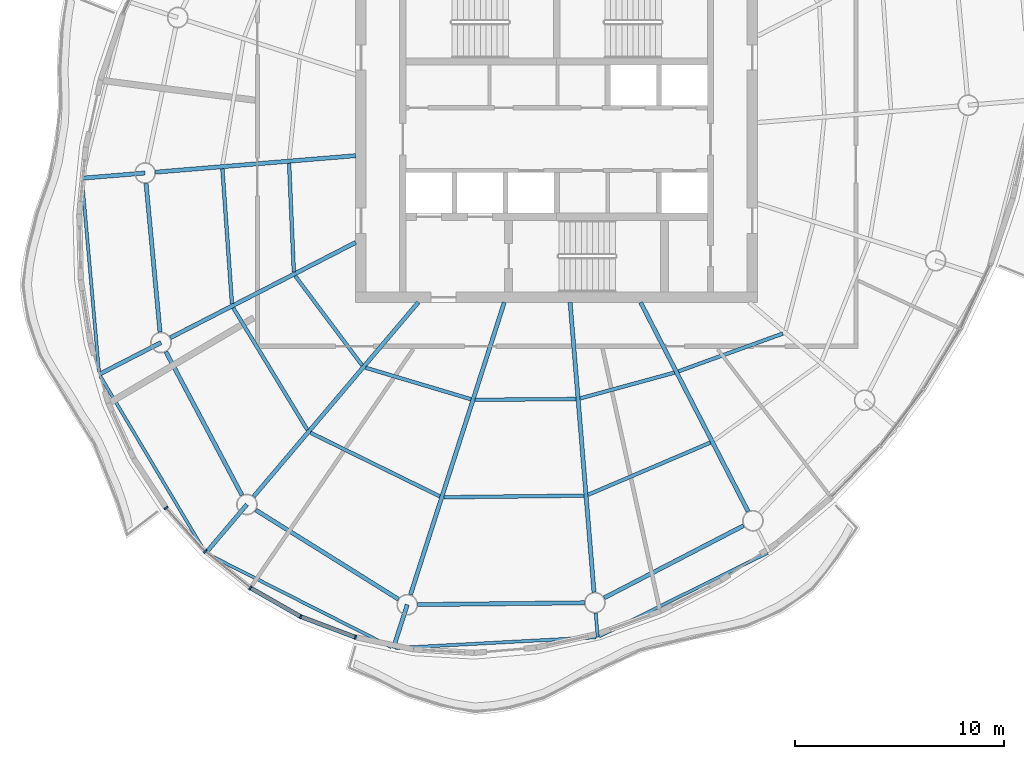
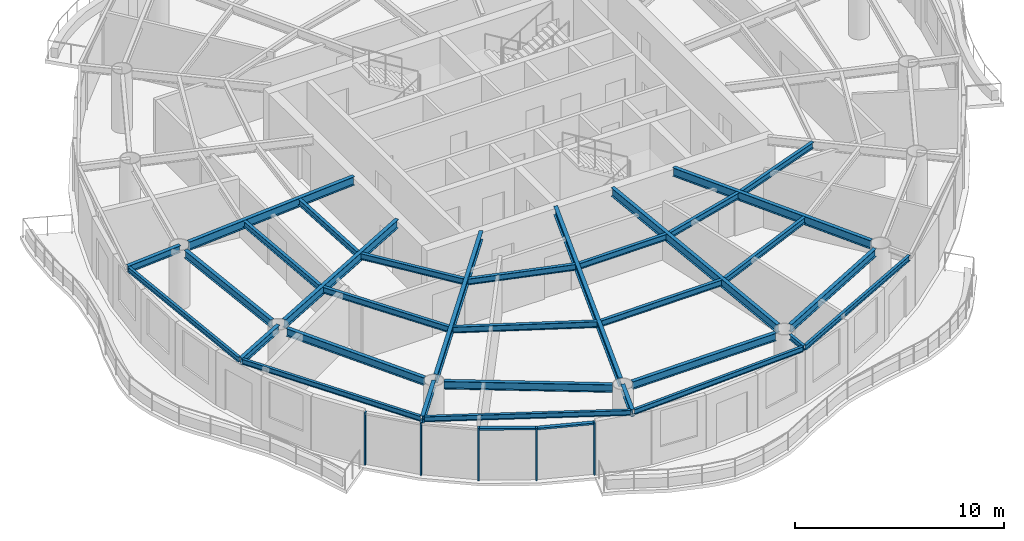
# One storey, part 2 of 14: 32 beams, 7 members, 4 elements without a shape of their own.
"""IFC4 building model written with IfcOpenShell, lengths in metres."""

from ifc_helpers import new_model, si_unit, direction, frame, origin, origin_2d, place, context, subcontext, project, spatial, rectangle, i_section, extrude, material, material_profile, profile_set, type_object, element, aggregate, save


model = new_model("IFC4")

# Units and contexts
model_context = context("Model", 3, precision=1e-05, world=origin(), true_north=direction((0.0, 1.0)))
body_context = subcontext(model_context, "Body", "Model", "MODEL_VIEW")
ifc_project = project(units=[si_unit("LENGTHUNIT", "METRE"), si_unit("AREAUNIT", "SQUARE_METRE"), si_unit("VOLUMEUNIT", "CUBIC_METRE"), si_unit("PLANEANGLEUNIT", "RADIAN"), si_unit("MASSUNIT", "GRAM", prefix="KILO")], contexts=[model_context])

# Site, building, storey
site_placement = place(None, origin())
site = spatial("IfcSite", under=ifc_project, at=site_placement, CompositionType="ELEMENT")
building_placement = place(site_placement, origin())
building = spatial("IfcBuilding", under=site, at=building_placement, Name="Vermilion Reach Broadcast Tower", CompositionType="ELEMENT")
storey_placement = place(building_placement, frame((0.0, 0.0, 257.699951171875)))
storey = spatial("IfcBuildingStorey", under=building, at=storey_placement, Name="L63", CompositionType="ELEMENT", Elevation=257.699951171875)

# Beams
ifc_material_1 = material(Name="Steel S355J2", Category="steel")
ifc_material_profile_1 = material_profile(ifc_material_1, i_section(OverallWidth=0.14990234375, OverallDepth=0.300048828125, WebThickness=0.006591796875, FlangeThickness=0.009033203125, at=origin_2d()), Name="S355J2 HN 300x150x6.5x9")
ifc_profile_set_1 = profile_set([ifc_material_profile_1], Name="Steel S355J2")
beam_type_1 = type_object("IfcBeamType", Name="EB5 HN 300x150x6.5x9", PredefinedType="BEAM", material=ifc_profile_set_1)
beam_1_placement = place(storey_placement, frame((-28.673583984375, -1.968505859375, 3.300048828125), z_axis=(0.087704007709, -0.996146579089, 0.0), x_axis=(0.996146579089, 0.087704007709, 0.0)))
element("IfcBeam", 1, at=beam_1_placement, inside=storey, type_object=beam_type_1, Name="Edge beam EB5-06", PredefinedType="BEAM", context=body_context, shape_type="SweptSolid", body=[
    extrude(i_section(OverallWidth=0.14990234375, OverallDepth=0.300048828125, WebThickness=0.006591796875, FlangeThickness=0.009033203125, at=origin_2d()), origin(), (0.0, 0.0, 1.0), 9.197265625),
])
beam_2_placement = place(storey_placement, frame((-27.80615234375, -11.323974609375, 3.300048828125), z_axis=(0.511805175095, -0.859101543909, 0.0), x_axis=(0.859101543909, 0.511805175095, 0.0)))
element("IfcBeam", 2, at=beam_2_placement, inside=storey, type_object=beam_type_1, Name="Edge beam EB5-07", PredefinedType="BEAM", context=body_context, shape_type="SweptSolid", body=[
    extrude(i_section(OverallWidth=0.14990234375, OverallDepth=0.300048828125, WebThickness=0.006591796875, FlangeThickness=0.009033203125, at=origin_2d()), origin(), (0.0, 0.0, 1.0), 9.73681640625),
])
beam_3_placement = place(storey_placement, frame((-22.677001953125, -19.826416015625, 3.300048828125), z_axis=(0.892003915287, -0.452027670738, 0.0), x_axis=(0.452027670738, 0.892003915287, 0.0)))
element("IfcBeam", 3, at=beam_3_placement, inside=storey, type_object=beam_type_1, Name="Edge beam EB5-08", PredefinedType="BEAM", context=body_context, shape_type="SweptSolid", body=[
    extrude(i_section(OverallWidth=0.14990234375, OverallDepth=0.300048828125, WebThickness=0.006591796875, FlangeThickness=0.009033203125, at=origin_2d()), origin(), (0.0, 0.0, 1.0), 9.845458984375),
])
beam_4_placement = place(storey_placement, frame((-13.69775390625, -24.317138671875, 3.300048828125), z_axis=(0.998568059474, 0.053496080221, 0.0), x_axis=(-0.053496080221, 0.998568059474, 0.0)))
element("IfcBeam", 4, at=beam_4_placement, inside=storey, type_object=beam_type_1, Name="Edge beam EB5-09", PredefinedType="BEAM", context=body_context, shape_type="SweptSolid", body=[
    extrude(i_section(OverallWidth=0.14990234375, OverallDepth=0.300048828125, WebThickness=0.006591796875, FlangeThickness=0.009033203125, at=origin_2d()), origin(), (0.0, 0.0, 1.0), 9.597412109375),
])
beam_5_placement = place(storey_placement, frame((-3.966796875, -23.763671875, 3.300048828125), z_axis=(0.895619747805, 0.444820488896, 0.0), x_axis=(-0.444820488896, 0.895619747805, 0.0)))
element("IfcBeam", 5, at=beam_5_placement, inside=storey, type_object=beam_type_1, Name="Edge beam EB5-10", PredefinedType="BEAM", context=body_context, shape_type="SweptSolid", body=[
    extrude(i_section(OverallWidth=0.14990234375, OverallDepth=0.300048828125, WebThickness=0.006591796875, FlangeThickness=0.009033203125, at=origin_2d()), origin(), (0.0, 0.0, 1.0), 8.983642578125),
])
ifc_material_2 = material(Name="Steel S355J2", Category="steel")
ifc_material_profile_2 = material_profile(ifc_material_2, i_section(OverallWidth=0.199951171875, OverallDepth=0.5, WebThickness=0.010009765625, FlangeThickness=0.01611328125, at=origin_2d()), Name="S355J2 HN 500x200x10x16")
ifc_profile_set_2 = profile_set([ifc_material_profile_2], Name="Steel S355J2")
beam_type_2 = type_object("IfcBeamType", Name="G5 HN 500x200x10x16", PredefinedType="BEAM", material=ifc_profile_set_2)
beam_6_placement = place(storey_placement, frame((-15.60009765625, -0.791015625, 3.199951171875), z_axis=(-0.996624410075, -0.082096195058, 0.0), x_axis=(0.082096195058, -0.996624410075, 0.0)))
element("IfcBeam", 6, at=beam_6_placement, inside=storey, type_object=beam_type_2, Name="Girder G5-06", PredefinedType="BEAM", context=body_context, shape_type="SweptSolid", body=[
    extrude(i_section(OverallWidth=0.199951171875, OverallDepth=0.5, WebThickness=0.010009765625, FlangeThickness=0.01611328125, at=origin_2d()), origin(), (0.0, 0.0, 1.0), 9.599609375),
])
beam_7_placement = place(storey_placement, frame((-15.60009765625, -4.935791015625, 3.199951171875), z_axis=(-0.889332502449, -0.457261085254, 0.0), x_axis=(0.457261085254, -0.889332502449, 0.0)))
element("IfcBeam", 7, at=beam_7_placement, inside=storey, type_object=beam_type_2, Name="Girder G5-07", PredefinedType="BEAM", context=body_context, shape_type="SweptSolid", body=[
    extrude(i_section(OverallWidth=0.199951171875, OverallDepth=0.5, WebThickness=0.010009765625, FlangeThickness=0.01611328125, at=origin_2d()), origin(), (0.0, 0.0, 1.0), 9.96337890625),
])
beam_8_placement = place(storey_placement, frame((-12.612548828125, -7.800048828125, 3.199951171875), z_axis=(-0.646658335602, -0.762779782766, 0.0), x_axis=(0.762779782766, -0.646658335602, 0.0)))
element("IfcBeam", 8, at=beam_8_placement, inside=storey, type_object=beam_type_2, Name="Girder G5-08", PredefinedType="BEAM", context=body_context, shape_type="SweptSolid", body=[
    extrude(i_section(OverallWidth=0.199951171875, OverallDepth=0.5, WebThickness=0.010009765625, FlangeThickness=0.01611328125, at=origin_2d()), origin(), (0.0, 0.0, 1.0), 12.16064453125),
])
beam_9_placement = place(storey_placement, frame((-8.502685546875, -7.800048828125, 3.199951171875), z_axis=(-0.305545401295, -0.952177508528, 0.0), x_axis=(0.952177508528, -0.305545401295, 0.0)))
element("IfcBeam", 9, at=beam_9_placement, inside=storey, type_object=beam_type_2, Name="Girder G5-09", PredefinedType="BEAM", context=body_context, shape_type="SweptSolid", body=[
    extrude(i_section(OverallWidth=0.199951171875, OverallDepth=0.5, WebThickness=0.010009765625, FlangeThickness=0.01611328125, at=origin_2d()), origin(), (0.0, 0.0, 1.0), 14.672607421875),
])
beam_10_placement = place(storey_placement, frame((-5.357421875, -7.800048828125, 3.199951171875), z_axis=(0.082123744247, -0.996622140347, 0.0), x_axis=(0.996622140347, 0.082123744247, 0.0)))
element("IfcBeam", 10, at=beam_10_placement, inside=storey, type_object=beam_type_2, Name="Girder G5-10", PredefinedType="BEAM", context=body_context, shape_type="SweptSolid", body=[
    extrude(i_section(OverallWidth=0.199951171875, OverallDepth=0.5, WebThickness=0.010009765625, FlangeThickness=0.01611328125, at=origin_2d()), origin(), (0.0, 0.0, 1.0), 13.89794921875),
])
beam_11_placement = place(storey_placement, frame((-1.989501953125, -7.800048828125, 3.199951171875), z_axis=(0.457258168112, -0.889334002327, 0.0), x_axis=(0.889334002327, 0.457258168112, 0.0)))
element("IfcBeam", 11, at=beam_11_placement, inside=storey, type_object=beam_type_2, Name="Girder G5-11", PredefinedType="BEAM", context=body_context, shape_type="SweptSolid", body=[
    extrude(i_section(OverallWidth=0.199951171875, OverallDepth=0.5, WebThickness=0.010009765625, FlangeThickness=0.01611328125, at=origin_2d()), origin(), (0.0, 0.0, 1.0), 11.236328125),
])
ifc_material_3 = material(Name="Steel S355J2", Category="steel")
ifc_material_profile_3 = material_profile(ifc_material_3, i_section(OverallWidth=0.199951171875, OverallDepth=0.39990234375, WebThickness=0.008056640625, FlangeThickness=0.012939453125, at=origin_2d()), Name="S355J2 HN 400x200x8x13")
ifc_profile_set_3 = profile_set([ifc_material_profile_3], Name="Steel S355J2")
beam_type_3 = type_object("IfcBeamType", Name="GC5 HN 400x200x8x13", PredefinedType="BEAM", material=ifc_profile_set_3)
beam_12_placement = place(storey_placement, frame((-25.665771484375, -1.620361328125, 3.25), z_axis=(-0.996623197757, -0.082110910919, 0.0), x_axis=(0.082110910919, -0.996623197757, 0.0)))
element("IfcBeam", 12, at=beam_12_placement, inside=storey, type_object=beam_type_3, Name="Cantilever girder GC5-06", PredefinedType="BEAM", context=body_context, shape_type="SweptSolid", body=[
    extrude(i_section(OverallWidth=0.199951171875, OverallDepth=0.39990234375, WebThickness=0.008056640625, FlangeThickness=0.012939453125, at=origin_2d()), origin(), (0.0, 0.0, 1.0), 3.02685546875),
])
beam_13_placement = place(storey_placement, frame((-24.905517578125, -9.72021484375, 3.25), z_axis=(-0.889324552007, -0.457276547831, 0.0), x_axis=(0.457276547831, -0.889324552007, 0.0)))
element("IfcBeam", 13, at=beam_13_placement, inside=storey, type_object=beam_type_3, Name="Cantilever girder GC5-07", PredefinedType="BEAM", context=body_context, shape_type="SweptSolid", body=[
    extrude(i_section(OverallWidth=0.199951171875, OverallDepth=0.39990234375, WebThickness=0.008056640625, FlangeThickness=0.012939453125, at=origin_2d()), origin(), (0.0, 0.0, 1.0), 3.3193359375),
])
beam_14_placement = place(storey_placement, frame((-20.799560546875, -17.457275390625, 3.25), z_axis=(-0.646668011343, -0.762771579902, 0.0), x_axis=(0.762771579902, -0.646668011343, 0.0)))
element("IfcBeam", 14, at=beam_14_placement, inside=storey, type_object=beam_type_3, Name="Cantilever girder GC5-08", PredefinedType="BEAM", context=body_context, shape_type="SweptSolid", body=[
    extrude(i_section(OverallWidth=0.199951171875, OverallDepth=0.39990234375, WebThickness=0.008056640625, FlangeThickness=0.012939453125, at=origin_2d()), origin(), (0.0, 0.0, 1.0), 3.044921875),
])
beam_15_placement = place(storey_placement, frame((-13.138427734375, -22.2470703125, 3.25), z_axis=(-0.305523352592, -0.952184583482, 0.0), x_axis=(0.952184583482, -0.305523352592, 0.0)))
element("IfcBeam", 15, at=beam_15_placement, inside=storey, type_object=beam_type_3, Name="Cantilever girder GC5-09", PredefinedType="BEAM", context=body_context, shape_type="SweptSolid", body=[
    extrude(i_section(OverallWidth=0.199951171875, OverallDepth=0.39990234375, WebThickness=0.008056640625, FlangeThickness=0.012939453125, at=origin_2d()), origin(), (0.0, 0.0, 1.0), 2.179931640625),
])
ifc_material_4 = material(Name="Steel S355J2", Category="steel")
ifc_material_profile_4 = material_profile(ifc_material_4, i_section(OverallWidth=0.14990234375, OverallDepth=0.300048828125, WebThickness=0.006591796875, FlangeThickness=0.009033203125, at=origin_2d()), Name="S355J2 HN 300x150x6.5x9")
ifc_profile_set_4 = profile_set([ifc_material_profile_4], Name="Steel S355J2")
beam_type_4 = type_object("IfcBeamType", Name="GS5 HN 300x150x6.5x9", PredefinedType="BEAM", material=ifc_profile_set_4)
beam_16_placement = place(storey_placement, frame((-4.134033203125, -22.647705078125, 3.300048828125), z_axis=(0.082171361974, -0.996618215402, 0.0), x_axis=(0.996618215402, 0.082171361974, 0.0)))
element("IfcBeam", 16, at=beam_16_placement, inside=storey, type_object=beam_type_4, Name="Cantilever stub GS5-10", PredefinedType="BEAM", context=body_context, shape_type="SweptSolid", body=[
    extrude(i_section(OverallWidth=0.14990234375, OverallDepth=0.300048828125, WebThickness=0.006591796875, FlangeThickness=0.009033203125, at=origin_2d()), origin(), (0.0, 0.0, 1.0), 1.15576171875),
])
ifc_material_5 = material(Name="Steel S355J2", Category="steel")
ifc_material_profile_5 = material_profile(ifc_material_5, i_section(OverallWidth=0.199951171875, OverallDepth=0.449951171875, WebThickness=0.009033203125, FlangeThickness=0.013916015625, at=origin_2d()), Name="S355J2 HN 450x200x9x14")
ifc_profile_set_5 = profile_set([ifc_material_profile_5], Name="Steel S355J2")
beam_type_5 = type_object("IfcBeamType", Name="RB5 HN 450x200x9x14", PredefinedType="BEAM", material=ifc_profile_set_5)
beam_17_placement = place(storey_placement, frame((-25.618896484375, -2.1181640625, 3.22509765625), z_axis=(0.093441399272, -0.995624781181, 0.0), x_axis=(0.995624781181, 0.093441399272, 0.0)))
element("IfcBeam", 17, at=beam_17_placement, inside=storey, type_object=beam_type_5, Name="Ring beam RB5-06", PredefinedType="BEAM", context=body_context, shape_type="SweptSolid", body=[
    extrude(i_section(OverallWidth=0.199951171875, OverallDepth=0.449951171875, WebThickness=0.009033203125, FlangeThickness=0.013916015625, at=origin_2d()), origin(), (0.0, 0.0, 1.0), 7.135498046875),
])
beam_18_placement = place(storey_placement, frame((-24.671142578125, -10.161865234375, 3.22509765625), z_axis=(0.468767917375, -0.883321368269, 0.0), x_axis=(0.883321368269, 0.468767917375, 0.0)))
element("IfcBeam", 18, at=beam_18_placement, inside=storey, type_object=beam_type_5, Name="Ring beam RB5-07", PredefinedType="BEAM", context=body_context, shape_type="SweptSolid", body=[
    extrude(i_section(OverallWidth=0.199951171875, OverallDepth=0.449951171875, WebThickness=0.009033203125, FlangeThickness=0.013916015625, at=origin_2d()), origin(), (0.0, 0.0, 1.0), 7.759033203125),
])
beam_19_placement = place(storey_placement, frame((-20.375732421875, -17.722412109375, 3.22509765625), z_axis=(0.847914653245, -0.530132757724, 0.0), x_axis=(0.530132757724, 0.847914653245, 0.0)))
element("IfcBeam", 19, at=beam_19_placement, inside=storey, type_object=beam_type_5, Name="Ring beam RB5-08", PredefinedType="BEAM", context=body_context, shape_type="SweptSolid", body=[
    extrude(i_section(OverallWidth=0.199951171875, OverallDepth=0.449951171875, WebThickness=0.009033203125, FlangeThickness=0.013916015625, at=origin_2d()), origin(), (0.0, 0.0, 1.0), 8.035400390625),
])
beam_20_placement = place(storey_placement, frame((-12.638427734375, -22.24169921875, 3.22509765625), z_axis=(0.999940445231, 0.010913569149, 0.0), x_axis=(-0.010913569149, 0.999940445231, 0.0)))
element("IfcBeam", 20, at=beam_20_placement, inside=storey, type_object=beam_type_5, Name="Ring beam RB5-09", PredefinedType="BEAM", context=body_context, shape_type="SweptSolid", body=[
    extrude(i_section(OverallWidth=0.199951171875, OverallDepth=0.449951171875, WebThickness=0.009033203125, FlangeThickness=0.013916015625, at=origin_2d()), origin(), (0.0, 0.0, 1.0), 7.9638671875),
])
beam_21_placement = place(storey_placement, frame((-3.731201171875, -21.91943359375, 3.22509765625), z_axis=(0.887960248279, 0.459920207729, 0.0), x_axis=(-0.459920207729, 0.887960248279, 0.0)))
element("IfcBeam", 21, at=beam_21_placement, inside=storey, type_object=beam_type_5, Name="Ring beam RB5-10", PredefinedType="BEAM", context=body_context, shape_type="SweptSolid", body=[
    extrude(i_section(OverallWidth=0.199951171875, OverallDepth=0.449951171875, WebThickness=0.009033203125, FlangeThickness=0.013916015625, at=origin_2d()), origin(), (0.0, 0.0, 1.0), 7.5048828125),
])
ifc_material_6 = material(Name="Steel S355J2", Category="steel")
ifc_material_profile_6 = material_profile(ifc_material_6, i_section(OverallWidth=0.175048828125, OverallDepth=0.35009765625, WebThickness=0.007080078125, FlangeThickness=0.010986328125, at=origin_2d()), Name="S355J2 HN 350x175x7x11")
ifc_profile_set_6 = profile_set([ifc_material_profile_6], Name="Steel S355J2")
beam_type_6 = type_object("IfcBeamType", Name="SB5 HN 350x175x7x11", PredefinedType="BEAM", material=ifc_profile_set_6)
beam_22_placement = place(storey_placement, frame((-18.78466796875, -1.153564453125, 3.275146484375), z_axis=(0.043557530017, -0.999050920413, 0.0), x_axis=(0.999050920413, 0.043557530017, 0.0)))
element("IfcBeam", 22, at=beam_22_placement, inside=storey, type_object=beam_type_6, Name="Secondary beam SB5-06-1", PredefinedType="BEAM", context=body_context, shape_type="SweptSolid", body=[
    extrude(i_section(OverallWidth=0.175048828125, OverallDepth=0.35009765625, WebThickness=0.007080078125, FlangeThickness=0.010986328125, at=origin_2d()), origin(), (0.0, 0.0, 1.0), 5.19580078125),
])
beam_23_placement = place(storey_placement, frame((-21.97119140625, -1.416259765625, 3.275146484375), z_axis=(0.070586780458, -0.997505642302, 0.0), x_axis=(0.997505642302, 0.070586780458, 0.0)))
element("IfcBeam", 23, at=beam_23_placement, inside=storey, type_object=beam_type_6, Name="Secondary beam SB5-06-2", PredefinedType="BEAM", context=body_context, shape_type="SweptSolid", body=[
    extrude(i_section(OverallWidth=0.175048828125, OverallDepth=0.35009765625, WebThickness=0.007080078125, FlangeThickness=0.010986328125, at=origin_2d()), origin(), (0.0, 0.0, 1.0), 6.46435546875),
])
beam_24_placement = place(storey_placement, frame((-18.492919921875, -6.53564453125, 3.275146484375), z_axis=(0.599055582645, -0.800707442767, 0.0), x_axis=(0.800707442767, 0.599055582645, 0.0)))
element("IfcBeam", 24, at=beam_24_placement, inside=storey, type_object=beam_type_6, Name="Secondary beam SB5-07-1", PredefinedType="BEAM", context=body_context, shape_type="SweptSolid", body=[
    extrude(i_section(OverallWidth=0.175048828125, OverallDepth=0.35009765625, WebThickness=0.007080078125, FlangeThickness=0.010986328125, at=origin_2d()), origin(), (0.0, 0.0, 1.0), 5.337890625),
])
beam_25_placement = place(storey_placement, frame((-21.455078125, -8.058837890625, 3.275146484375), z_axis=(0.519272962556, -0.854608442714, 0.0), x_axis=(0.854608442714, 0.519272962556, 0.0)))
element("IfcBeam", 25, at=beam_25_placement, inside=storey, type_object=beam_type_6, Name="Secondary beam SB5-07-2", PredefinedType="BEAM", context=body_context, shape_type="SweptSolid", body=[
    extrude(i_section(OverallWidth=0.175048828125, OverallDepth=0.35009765625, WebThickness=0.007080078125, FlangeThickness=0.010986328125, at=origin_2d()), origin(), (0.0, 0.0, 1.0), 6.82763671875),
])
beam_26_placement = place(storey_placement, frame((-15.129150390625, -10.92333984375, 3.275146484375), z_axis=(0.958124906971, -0.286350593925, 0.0), x_axis=(0.286350593925, 0.958124906971, 0.0)))
element("IfcBeam", 26, at=beam_26_placement, inside=storey, type_object=beam_type_6, Name="Secondary beam SB5-08-1", PredefinedType="BEAM", context=body_context, shape_type="SweptSolid", body=[
    extrude(i_section(OverallWidth=0.175048828125, OverallDepth=0.35009765625, WebThickness=0.007080078125, FlangeThickness=0.010986328125, at=origin_2d()), origin(), (0.0, 0.0, 1.0), 5.25634765625),
])
beam_27_placement = place(storey_placement, frame((-17.762451171875, -14.029541015625, 3.275146484375), z_axis=(0.897335928087, -0.441348198325, 0.0), x_axis=(0.441348198325, 0.897335928087, 0.0)))
element("IfcBeam", 27, at=beam_27_placement, inside=storey, type_object=beam_type_6, Name="Secondary beam SB5-08-2", PredefinedType="BEAM", context=body_context, shape_type="SweptSolid", body=[
    extrude(i_section(OverallWidth=0.175048828125, OverallDepth=0.35009765625, WebThickness=0.007080078125, FlangeThickness=0.010986328125, at=origin_2d()), origin(), (0.0, 0.0, 1.0), 6.887451171875),
])
beam_28_placement = place(storey_placement, frame((-9.891845703125, -12.4560546875, 3.275146484375), z_axis=(0.999968312294, 0.007960804474, 0.0), x_axis=(-0.007960804474, 0.999968312294, 0.0)))
element("IfcBeam", 28, at=beam_28_placement, inside=storey, type_object=beam_type_6, Name="Secondary beam SB5-09-1", PredefinedType="BEAM", context=body_context, shape_type="SweptSolid", body=[
    extrude(i_section(OverallWidth=0.175048828125, OverallDepth=0.35009765625, WebThickness=0.007080078125, FlangeThickness=0.010986328125, at=origin_2d()), origin(), (0.0, 0.0, 1.0), 4.81494140625),
])
beam_29_placement = place(storey_placement, frame((-11.385986328125, -17.11279296875, 3.275146484375), z_axis=(0.999932654133, 0.011605481368, 0.0), x_axis=(-0.011605481368, 0.999932654133, 0.0)))
element("IfcBeam", 29, at=beam_29_placement, inside=storey, type_object=beam_type_6, Name="Secondary beam SB5-09-2", PredefinedType="BEAM", context=body_context, shape_type="SweptSolid", body=[
    extrude(i_section(OverallWidth=0.175048828125, OverallDepth=0.35009765625, WebThickness=0.007080078125, FlangeThickness=0.010986328125, at=origin_2d()), origin(), (0.0, 0.0, 1.0), 6.689697265625),
])
beam_30_placement = place(storey_placement, frame((-4.87890625, -12.39013671875, 3.275146484375), z_axis=(0.964547496851, 0.263909314573, 0.0), x_axis=(-0.263909314573, 0.964547496851, 0.0)))
element("IfcBeam", 30, at=beam_30_placement, inside=storey, type_object=beam_type_6, Name="Secondary beam SB5-10-1", PredefinedType="BEAM", context=body_context, shape_type="SweptSolid", body=[
    extrude(i_section(OverallWidth=0.175048828125, OverallDepth=0.35009765625, WebThickness=0.007080078125, FlangeThickness=0.010986328125, at=origin_2d()), origin(), (0.0, 0.0, 1.0), 4.6689453125),
])
beam_31_placement = place(storey_placement, frame((-4.49951171875, -16.99267578125, 3.275146484375), z_axis=(0.919880986172, 0.392197617637, 0.0), x_axis=(-0.392197617637, 0.919880986172, 0.0)))
element("IfcBeam", 31, at=beam_31_placement, inside=storey, type_object=beam_type_6, Name="Secondary beam SB5-10-2", PredefinedType="BEAM", context=body_context, shape_type="SweptSolid", body=[
    extrude(i_section(OverallWidth=0.175048828125, OverallDepth=0.35009765625, WebThickness=0.007080078125, FlangeThickness=0.010986328125, at=origin_2d()), origin(), (0.0, 0.0, 1.0), 6.351806640625),
])
beam_32_placement = place(storey_placement, frame((-0.18212890625, -11.0966796875, 3.275146484375), z_axis=(0.940220108875, 0.340567389613, 0.0), x_axis=(-0.340567389613, 0.940220108875, 0.0)))
element("IfcBeam", 32, at=beam_32_placement, inside=storey, type_object=beam_type_6, Name="Secondary beam SB5-11-1", PredefinedType="BEAM", context=body_context, shape_type="SweptSolid", body=[
    extrude(i_section(OverallWidth=0.175048828125, OverallDepth=0.35009765625, WebThickness=0.007080078125, FlangeThickness=0.010986328125, at=origin_2d()), origin(), (0.0, 0.0, 1.0), 5.303466796875),
])

# Curtain wall, member
ifc_material_7 = material(Name="Low-e laminated clear glass in aluminium frame", Category="aluminium")
curtain_wall_type = type_object("IfcCurtainWallType", Name="Slot curtain wall", PredefinedType="NOTDEFINED", material=ifc_material_7)
placement = place(storey_placement, origin())
curtain_wall_1 = element("IfcCurtainWall", 33, at=placement, inside=storey, type_object=curtain_wall_type, Name="Slot curtain wall L63 22", PredefinedType="NOTDEFINED")
ifc_material_8 = material(Name="Anodised aluminium", Category="aluminium")
ifc_material_profile_7 = material_profile(ifc_material_8, rectangle(XDim=0.199951171875, YDim=0.080078125, at=origin_2d()), Name="Slot mullion 80 x 200")
ifc_profile_set_7 = profile_set([ifc_material_profile_7], Name="Anodised aluminium")
member_type_1 = type_object("IfcMemberType", Name="Slot mullion 80 x 200", PredefinedType="MULLION", material=ifc_profile_set_7)
member_1_placement = place(storey_placement, frame((-24.661865234375, -17.624755859375, 0.0), z_axis=(0.0, 0.0, 1.0), x_axis=(0.792220111415, 0.610235442325, 0.0)))
member_1 = element("IfcMember", 34, at=member_1_placement, type_object=member_type_1, Name="Slot mullion L63 22", PredefinedType="MULLION", context=body_context, shape_type="SweptSolid", body=[
    extrude(rectangle(XDim=0.199951171875, YDim=0.080078125, at=origin_2d()), origin(), (0.0, 0.0, 1.0), 3.050048828125),
])
aggregate(curtain_wall_1, [member_1])

curtain_wall_2 = element("IfcCurtainWall", 35, at=placement, inside=storey, type_object=curtain_wall_type, Name="Slot curtain wall L63 23", PredefinedType="NOTDEFINED")
member_2_placement = place(storey_placement, frame((-22.791259765625, -19.69970703125, 0.0), z_axis=(0.0, 0.0, 1.0), x_axis=(0.687453927496, 0.726227992831, 0.0)))
member_2 = element("IfcMember", 36, at=member_2_placement, type_object=member_type_1, Name="Slot mullion L63 23", PredefinedType="MULLION", context=body_context, shape_type="SweptSolid", body=[
    extrude(rectangle(XDim=0.199951171875, YDim=0.080078125, at=origin_2d()), origin(), (0.0, 0.0, 1.0), 3.050048828125),
])
aggregate(curtain_wall_2, [member_2])

curtain_wall_3 = element("IfcCurtainWall", 37, at=placement, inside=storey, type_object=curtain_wall_type, Name="Slot curtain wall L63 24", PredefinedType="NOTDEFINED")
member_3_placement = place(storey_placement, frame((-20.635498046875, -21.438720703125, 0.0), z_axis=(0.0, 0.0, 1.0), x_axis=(0.563814452058, 0.825901485439, 0.0)))
member_3 = element("IfcMember", 38, at=member_3_placement, type_object=member_type_1, Name="Slot mullion L63 24", PredefinedType="MULLION", context=body_context, shape_type="SweptSolid", body=[
    extrude(rectangle(XDim=0.199951171875, YDim=0.080078125, at=origin_2d()), origin(), (0.0, 0.0, 1.0), 3.050048828125),
])

# Curtain wall, members
curtain_wall_4 = element("IfcCurtainWall", 39, at=placement, inside=storey, type_object=curtain_wall_type, Name="Slot curtain wall L63 25", PredefinedType="NOTDEFINED")
member_4_placement = place(storey_placement, frame((-18.230712890625, -22.81298828125, 0.0), z_axis=(0.0, 0.0, 1.0), x_axis=(0.425954498638, 0.904744585554, 0.0)))
member_4 = element("IfcMember", 40, at=member_4_placement, type_object=member_type_1, Name="Slot mullion L63 25", PredefinedType="MULLION", context=body_context, shape_type="SweptSolid", body=[
    extrude(rectangle(XDim=0.199951171875, YDim=0.080078125, at=origin_2d()), origin(), (0.0, 0.0, 1.0), 3.050048828125),
])
member_5_placement = place(storey_placement, frame((-15.616943359375, -23.79931640625, 0.0), z_axis=(0.0, 0.0, 1.0), x_axis=(0.279770745993, 0.960066836052, 0.0)))
member_5 = element("IfcMember", 41, at=member_5_placement, type_object=member_type_1, Name="Slot mullion L63 26", PredefinedType="MULLION", context=body_context, shape_type="SweptSolid", body=[
    extrude(rectangle(XDim=0.199951171875, YDim=0.080078125, at=origin_2d()), origin(), (0.0, 0.0, 1.0), 3.050048828125),
])

# Member
ifc_material_9 = material(Name="Anodised aluminium", Category="aluminium")
ifc_material_profile_8 = material_profile(ifc_material_9, rectangle(XDim=0.199951171875, YDim=0.10009765625, at=origin_2d()), Name="Slot transom 200 x 100")
ifc_profile_set_8 = profile_set([ifc_material_profile_8], Name="Anodised aluminium")
member_type_2 = type_object("IfcMemberType", Name="Slot transom 200 x 100", PredefinedType="USERDEFINED", material=ifc_profile_set_8)
member_6_placement = place(storey_placement, frame((-20.600830078125, -21.45849609375, 3.0), z_axis=(0.868215214433, -0.496187808625, 0.0), x_axis=(0.496187808625, 0.868215214433, 0.0)))
member_6 = element("IfcMember", 42, at=member_6_placement, type_object=member_type_2, Name="Slot transom L63 24.1", ObjectType="TRANSOM", PredefinedType="USERDEFINED", context=body_context, shape_type="SweptSolid", body=[
    extrude(rectangle(XDim=0.199951171875, YDim=0.10009765625, at=origin_2d()), origin(), (0.0, 0.0, 1.0), 2.68994140625),
])

aggregate(curtain_wall_3, [member_3, member_6])

member_7_placement = place(storey_placement, frame((-18.193359375, -22.8271484375, 3.0), z_axis=(0.935617417433, -0.353015648655, 0.0), x_axis=(0.353015648655, 0.935617417433, 0.0)))
member_7 = element("IfcMember", 43, at=member_7_placement, type_object=member_type_2, Name="Slot transom L63 25.1", ObjectType="TRANSOM", PredefinedType="USERDEFINED", context=body_context, shape_type="SweptSolid", body=[
    extrude(rectangle(XDim=0.199951171875, YDim=0.10009765625, at=origin_2d()), origin(), (0.0, 0.0, 1.0), 2.7138671875),
])

aggregate(curtain_wall_4, [member_4, member_5, member_7])

save(model, "model.ifc")
